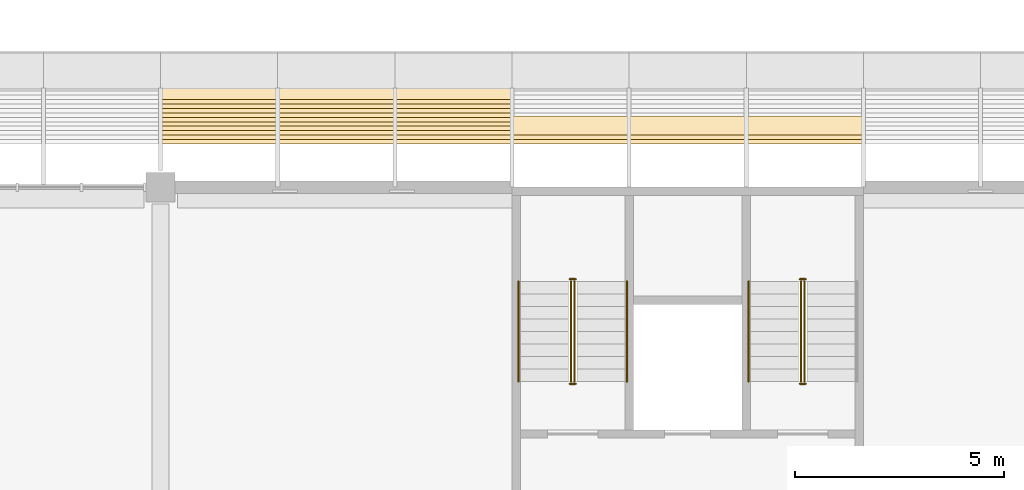
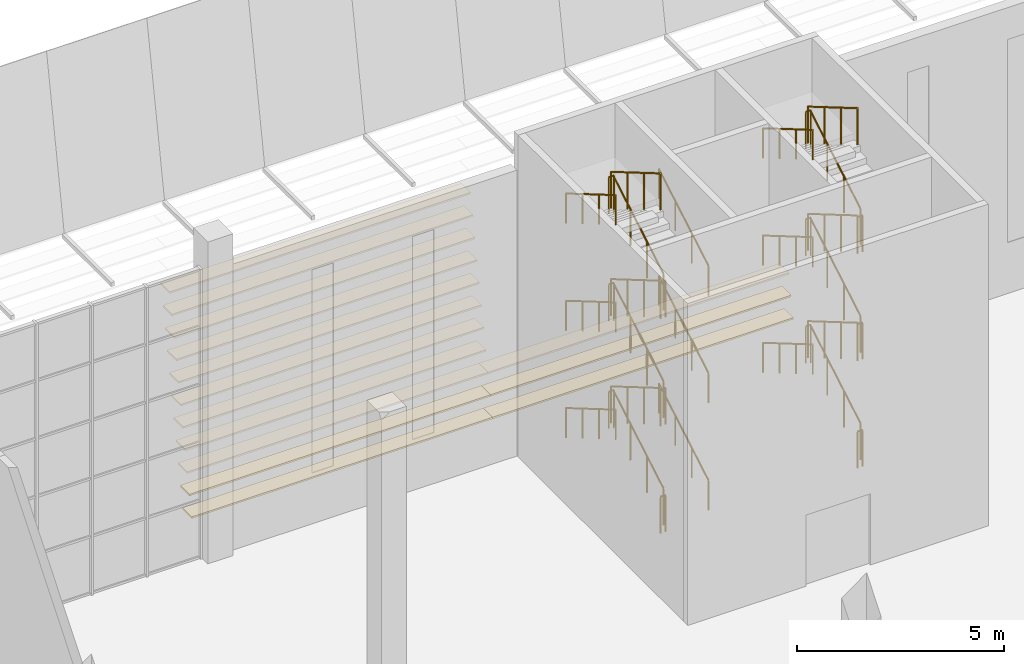
# One storey, part 106 of 114: 33 railings, 14 coverings.
"""IFC4 building model written with IfcOpenShell, lengths in metres."""

from ifc_helpers import new_model, si_unit, direction, frame, origin, origin_2d, place, context, subcontext, project, spatial, rectangle, circle, extrude, material, material_profile, profile_set, type_object, element, save


model = new_model("IFC4")

# Units and contexts
model_context = context("Model", 3, precision=1e-05, world=origin(), true_north=direction((0.0, 1.0)))
body_context = subcontext(model_context, "Body", "Model", "MODEL_VIEW")
ifc_project = project(units=[si_unit("LENGTHUNIT", "METRE"), si_unit("AREAUNIT", "SQUARE_METRE"), si_unit("VOLUMEUNIT", "CUBIC_METRE"), si_unit("PLANEANGLEUNIT", "RADIAN"), si_unit("MASSUNIT", "GRAM", prefix="KILO")], contexts=[model_context])

# Site, building, storey
site_placement = place(None, origin())
site = spatial("IfcSite", under=ifc_project, at=site_placement, CompositionType="ELEMENT")
building_placement = place(site_placement, origin())
building = spatial("IfcBuilding", under=site, at=building_placement, Name="Almond Square Museum", CompositionType="ELEMENT")
storey_placement = place(building_placement, frame((0.0, 0.0, 10.5)))
storey = spatial("IfcBuildingStorey", under=building, at=storey_placement, Name="L02", CompositionType="ELEMENT", Elevation=10.5)

# Coverings
ifc_material_1 = material(Name="Cedar timber louvre board", Category="wood")
ifc_material_profile = material_profile(ifc_material_1, rectangle(XDim=0.449951171875, YDim=0.050048828125, at=origin_2d()))
ifc_profile_set = profile_set([ifc_material_profile], Name="Cedar timber louvre board")
covering_type = type_object("IfcCoveringType", Name="Louvre board 450 x 50", PredefinedType="CLADDING", material=ifc_profile_set)
covering_1_placement = place(storey_placement, frame((115.199951171875, 110.45849609375, 0.39990234375), z_axis=(1.0, 0.0, 0.0), x_axis=(0.0, 1.0, 0.0)))
element("IfcCovering", 1, at=covering_1_placement, inside=storey, type_object=covering_type, Name="Louvre board N07.02", PredefinedType="CLADDING", context=body_context, shape_type="SweptSolid", body=[
    extrude(rectangle(XDim=0.449951171875, YDim=0.050048828125, at=origin_2d()), origin(), (0.0, 0.0, 1.0), 8.400146484375),
])
covering_2_placement = place(storey_placement, frame((123.60009765625, 110.45849609375, 0.39990234375), z_axis=(1.0, 0.0, 0.0), x_axis=(0.0, 1.0, 0.0)))
element("IfcCovering", 2, at=covering_2_placement, inside=storey, type_object=covering_type, Name="Louvre board N07.03", PredefinedType="CLADDING", context=body_context, shape_type="SweptSolid", body=[
    extrude(rectangle(XDim=0.449951171875, YDim=0.050048828125, at=origin_2d()), origin(), (0.0, 0.0, 1.0), 8.39990234375),
])
covering_3_placement = place(storey_placement, frame((115.199951171875, 110.564453125, 1.0), z_axis=(1.0, 0.0, 0.0), x_axis=(0.0, 1.0, 0.0)))
element("IfcCovering", 3, at=covering_3_placement, inside=storey, type_object=covering_type, Name="Louvre board N08.02", PredefinedType="CLADDING", context=body_context, shape_type="SweptSolid", body=[
    extrude(rectangle(XDim=0.449951171875, YDim=0.050048828125, at=origin_2d()), origin(), (0.0, 0.0, 1.0), 8.400146484375),
])
covering_4_placement = place(storey_placement, frame((123.60009765625, 110.564453125, 1.0), z_axis=(1.0, 0.0, 0.0), x_axis=(0.0, 1.0, 0.0)))
element("IfcCovering", 4, at=covering_4_placement, inside=storey, type_object=covering_type, Name="Louvre board N08.03", PredefinedType="CLADDING", context=body_context, shape_type="SweptSolid", body=[
    extrude(rectangle(XDim=0.449951171875, YDim=0.050048828125, at=origin_2d()), origin(), (0.0, 0.0, 1.0), 8.39990234375),
])
covering_5_placement = place(storey_placement, frame((115.199951171875, 110.670166015625, 1.60009765625), z_axis=(1.0, 0.0, 0.0), x_axis=(0.0, 1.0, 0.0)))
element("IfcCovering", 5, at=covering_5_placement, inside=storey, type_object=covering_type, Name="Louvre board N09.02", PredefinedType="CLADDING", context=body_context, shape_type="SweptSolid", body=[
    extrude(rectangle(XDim=0.449951171875, YDim=0.050048828125, at=origin_2d()), origin(), (0.0, 0.0, 1.0), 8.400146484375),
])
covering_6_placement = place(storey_placement, frame((123.60009765625, 110.670166015625, 1.60009765625), z_axis=(1.0, 0.0, 0.0), x_axis=(0.0, 1.0, 0.0)))
element("IfcCovering", 6, at=covering_6_placement, inside=storey, type_object=covering_type, Name="Louvre board N09.03", PredefinedType="CLADDING", context=body_context, shape_type="SweptSolid", body=[
    extrude(rectangle(XDim=0.449951171875, YDim=0.050048828125, at=origin_2d()), origin(), (0.0, 0.0, 1.0), 8.39990234375),
])
for number, where, z_axis, x_axis, name in (
    (7, (115.199951171875, 110.776123046875, 2.199951171875), (1.0, 0.0, 0.0), (0.0, 1.0, 0.0), "Louvre board N10.02"),
    (8, (115.199951171875, 110.8818359375, 2.800048828125), (1.0, 0.0, 0.0), (0.0, 1.0, 0.0), "Louvre board N11.02"),
    (9, (115.199951171875, 110.987548828125, 3.39990234375), (1.0, 0.0, 0.0), (0.0, 1.0, 0.0), "Louvre board N12.02"),
    (10, (115.199951171875, 111.093505859375, 4.0), (1.0, 0.0, 0.0), (0.0, 1.0, 0.0), "Louvre board N13.02"),
    (11, (115.199951171875, 111.19921875, 4.60009765625), (1.0, 0.0, 0.0), (0.0, 1.0, 0.0), "Louvre board N14.02"),
    (12, (115.199951171875, 111.304931640625, 5.199951171875), (1.0, 0.0, 0.0), (0.0, 1.0, 0.0), "Louvre board N15.02"),
    (13, (115.199951171875, 111.410888671875, 5.800048828125), (1.0, 0.0, 0.0), (0.0, 1.0, 0.0), "Louvre board N16.02"),
    (14, (115.199951171875, 111.5166015625, 6.39990234375), (1.0, 0.0, 0.0), (0.0, 1.0, 0.0), "Louvre board N17.02"),
):
    element("IfcCovering", number, at=place(storey_placement, frame(where, z_axis=z_axis, x_axis=x_axis)), inside=storey, type_object=covering_type, Name=name, PredefinedType="CLADDING", context=body_context, shape_type="SweptSolid", body=[
        extrude(rectangle(XDim=0.449951171875, YDim=0.050048828125, at=origin_2d()), origin(), (0.0, 0.0, 1.0), 8.400146484375),
    ])

# Railings
ifc_material_2 = material(Name="Stainless steel and laminated glass", Category="steel")
railing_type_1 = type_object("IfcRailingType", Name="Stair guard 1100 steel and glass", PredefinedType="GUARDRAIL", material=ifc_material_2)
railing_1_placement = place(storey_placement, frame((125.090087890625, 104.550048828125, 0.176025390625)))
element("IfcRailing", 15, at=railing_1_placement, inside=storey, type_object=railing_type_1, Name="L02 ST-07 stair guard 1", PredefinedType="GUARDRAIL", context=body_context, shape_type="SweptSolid", body=[
    extrude(circle(Radius=0.02392578125, at=origin_2d()), frame((0.0, 0.0, 1.076171875), z_axis=(0.0, 0.862637233918, 0.505823094232), x_axis=(-1.0, 0.0, 0.0)), (0.0, 0.0, 1.0), 2.781982421875),
    extrude(circle(Radius=0.02099609375, at=origin_2d()), origin(), (0.0, 0.0, 1.0), 1.052001953125),
    extrude(circle(Radius=0.02099609375, at=origin_2d()), frame((0.0, 0.800048828125, 0.468994140625)), (0.0, 0.0, 1.0), 1.052001953125),
    extrude(circle(Radius=0.02099609375, at=origin_2d()), frame((0.0, 1.599853515625, 0.938232421875)), (0.0, 0.0, 1.0), 1.052001953125),
    extrude(circle(Radius=0.02099609375, at=origin_2d()), frame((0.0, 2.39990234375, 1.4072265625)), (0.0, 0.0, 1.0), 1.052001953125),
])
railing_2_placement = place(storey_placement, frame((125.1201171875, 107.0, 1.583251953125)))
element("IfcRailing", 16, at=railing_2_placement, inside=storey, type_object=railing_type_1, Name="L02 ST-07 stair guard 2", PredefinedType="GUARDRAIL", context=body_context, shape_type="SweptSolid", body=[
    extrude(circle(Radius=0.02392578125, at=origin_2d()), frame((0.0, 0.0, 1.076171875), z_axis=(-1.0, 0.0, 0.0), x_axis=(0.0, -1.0, 0.0)), (0.0, 0.0, 1.0), 0.14013671875),
    extrude(circle(Radius=0.02099609375, at=origin_2d()), origin(), (0.0, 0.0, 1.0), 1.052001953125),
    extrude(circle(Radius=0.02099609375, at=origin_2d()), frame((-0.14013671875, 0.0, 0.0)), (0.0, 0.0, 1.0), 1.052001953125),
])
railing_3_placement = place(storey_placement, frame((125.010009765625, 106.949951171875, 1.75927734375)))
element("IfcRailing", 17, at=railing_3_placement, inside=storey, type_object=railing_type_1, Name="L02 ST-07 stair guard 3", PredefinedType="GUARDRAIL", context=body_context, shape_type="SweptSolid", body=[
    extrude(circle(Radius=0.02392578125, at=origin_2d()), frame((0.0, 0.0, 1.076171875), z_axis=(0.0, -0.86259894172, 0.505888392576), x_axis=(1.0, 0.0, 0.0)), (0.0, 0.0, 1.0), 2.7822265625),
    extrude(circle(Radius=0.02099609375, at=origin_2d()), origin(), (0.0, 0.0, 1.0), 1.052001953125),
    extrude(circle(Radius=0.02099609375, at=origin_2d()), frame((0.0, -0.800048828125, 0.46923828125)), (0.0, 0.0, 1.0), 1.052001953125),
    extrude(circle(Radius=0.02099609375, at=origin_2d()), frame((0.0, -1.599853515625, 0.938232421875)), (0.0, 0.0, 1.0), 1.052001953125),
    extrude(circle(Radius=0.02099609375, at=origin_2d()), frame((0.0, -2.39990234375, 1.407470703125)), (0.0, 0.0, 1.0), 1.052001953125),
])
railing_4_placement = place(storey_placement, frame((125.1201171875, 104.5, 3.166748046875)))
element("IfcRailing", 18, at=railing_4_placement, inside=storey, type_object=railing_type_1, Name="L02 ST-07 stair guard 4", PredefinedType="GUARDRAIL", context=body_context, shape_type="SweptSolid", body=[
    extrude(circle(Radius=0.02392578125, at=origin_2d()), frame((0.0, 0.0, 1.076171875), z_axis=(-1.0, 0.0, 0.0), x_axis=(0.0, -1.0, 0.0)), (0.0, 0.0, 1.0), 0.14013671875),
    extrude(circle(Radius=0.02099609375, at=origin_2d()), origin(), (0.0, 0.0, 1.0), 1.052001953125),
    extrude(circle(Radius=0.02099609375, at=origin_2d()), frame((-0.14013671875, 0.0, 0.0)), (0.0, 0.0, 1.0), 1.052001953125),
])
railing_5_placement = place(storey_placement, frame((125.090087890625, 104.550048828125, 3.342529296875)))
element("IfcRailing", 19, at=railing_5_placement, inside=storey, type_object=railing_type_1, Name="L02 ST-07 stair guard 5", PredefinedType="GUARDRAIL", context=body_context, shape_type="SweptSolid", body=[
    extrude(circle(Radius=0.02392578125, at=origin_2d()), frame((0.0, 0.0, 1.076171875), z_axis=(0.0, 0.86259894172, 0.505888392576), x_axis=(-1.0, 0.0, 0.0)), (0.0, 0.0, 1.0), 2.7822265625),
    extrude(circle(Radius=0.02099609375, at=origin_2d()), origin(), (0.0, 0.0, 1.0), 1.052001953125),
    extrude(circle(Radius=0.02099609375, at=origin_2d()), frame((0.0, 0.800048828125, 0.46923828125)), (0.0, 0.0, 1.0), 1.052001953125),
    extrude(circle(Radius=0.02099609375, at=origin_2d()), frame((0.0, 1.599853515625, 0.938232421875)), (0.0, 0.0, 1.0), 1.052001953125),
    extrude(circle(Radius=0.02099609375, at=origin_2d()), frame((0.0, 2.39990234375, 1.407470703125)), (0.0, 0.0, 1.0), 1.052001953125),
])
railing_6_placement = place(storey_placement, frame((125.1201171875, 107.0, 4.75)))
element("IfcRailing", 20, at=railing_6_placement, inside=storey, type_object=railing_type_1, Name="L02 ST-07 stair guard 6", PredefinedType="GUARDRAIL", context=body_context, shape_type="SweptSolid", body=[
    extrude(circle(Radius=0.02392578125, at=origin_2d()), frame((0.0, 0.0, 1.076171875), z_axis=(-1.0, 0.0, 0.0), x_axis=(0.0, -1.0, 0.0)), (0.0, 0.0, 1.0), 0.14013671875),
    extrude(circle(Radius=0.02099609375, at=origin_2d()), origin(), (0.0, 0.0, 1.0), 1.052001953125),
    extrude(circle(Radius=0.02099609375, at=origin_2d()), frame((-0.14013671875, 0.0, 0.0)), (0.0, 0.0, 1.0), 1.052001953125),
])
railing_7_placement = place(storey_placement, frame((125.010009765625, 106.949951171875, 4.926025390625)))
element("IfcRailing", 21, at=railing_7_placement, inside=storey, type_object=railing_type_1, Name="L02 ST-07 stair guard 7", PredefinedType="GUARDRAIL", context=body_context, shape_type="SweptSolid", body=[
    extrude(circle(Radius=0.02392578125, at=origin_2d()), frame((0.0, 0.0, 1.076171875), z_axis=(0.0, -0.862637233918, 0.505823094232), x_axis=(1.0, 0.0, 0.0)), (0.0, 0.0, 1.0), 2.781982421875),
    extrude(circle(Radius=0.02099609375, at=origin_2d()), origin(), (0.0, 0.0, 1.0), 1.052001953125),
    extrude(circle(Radius=0.02099609375, at=origin_2d()), frame((0.0, -0.800048828125, 0.468994140625)), (0.0, 0.0, 1.0), 1.052001953125),
    extrude(circle(Radius=0.02099609375, at=origin_2d()), frame((0.0, -1.599853515625, 0.938232421875)), (0.0, 0.0, 1.0), 1.052001953125),
    extrude(circle(Radius=0.02099609375, at=origin_2d()), frame((0.0, -2.39990234375, 1.4072265625)), (0.0, 0.0, 1.0), 1.052001953125),
])
railing_8_placement = place(storey_placement, frame((125.1201171875, 104.5, 6.333251953125)))
element("IfcRailing", 22, at=railing_8_placement, inside=storey, type_object=railing_type_1, Name="L02 ST-07 stair guard 8", PredefinedType="GUARDRAIL", context=body_context, shape_type="SweptSolid", body=[
    extrude(circle(Radius=0.02392578125, at=origin_2d()), frame((0.0, 0.0, 1.076171875), z_axis=(-1.0, 0.0, 0.0), x_axis=(0.0, -1.0, 0.0)), (0.0, 0.0, 1.0), 0.14013671875),
    extrude(circle(Radius=0.02099609375, at=origin_2d()), origin(), (0.0, 0.0, 1.0), 1.052001953125),
    extrude(circle(Radius=0.02099609375, at=origin_2d()), frame((-0.14013671875, 0.0, 0.0)), (0.0, 0.0, 1.0), 1.052001953125),
])
railing_9_placement = place(storey_placement, frame((125.090087890625, 104.550048828125, 6.50927734375)))
element("IfcRailing", 23, at=railing_9_placement, inside=storey, type_object=railing_type_1, Name="L02 ST-07 stair guard 9", PredefinedType="GUARDRAIL", context=body_context, shape_type="SweptSolid", body=[
    extrude(circle(Radius=0.02392578125, at=origin_2d()), frame((0.0, 0.0, 1.076171875), z_axis=(0.0, 0.86259894172, 0.505888392576), x_axis=(-1.0, 0.0, 0.0)), (0.0, 0.0, 1.0), 2.7822265625),
    extrude(circle(Radius=0.02099609375, at=origin_2d()), origin(), (0.0, 0.0, 1.0), 1.052001953125),
    extrude(circle(Radius=0.02099609375, at=origin_2d()), frame((0.0, 0.800048828125, 0.46923828125)), (0.0, 0.0, 1.0), 1.052001953125),
    extrude(circle(Radius=0.02099609375, at=origin_2d()), frame((0.0, 1.599853515625, 0.938232421875)), (0.0, 0.0, 1.0), 1.052001953125),
    extrude(circle(Radius=0.02099609375, at=origin_2d()), frame((0.0, 2.39990234375, 1.407470703125)), (0.0, 0.0, 1.0), 1.052001953125),
])
railing_10_placement = place(storey_placement, frame((125.1201171875, 107.0, 7.916748046875)))
element("IfcRailing", 24, at=railing_10_placement, inside=storey, type_object=railing_type_1, Name="L02 ST-07 stair guard 10", PredefinedType="GUARDRAIL", context=body_context, shape_type="SweptSolid", body=[
    extrude(circle(Radius=0.02392578125, at=origin_2d()), frame((0.0, 0.0, 1.076171875), z_axis=(-1.0, 0.0, 0.0), x_axis=(0.0, -1.0, 0.0)), (0.0, 0.0, 1.0), 0.14013671875),
    extrude(circle(Radius=0.02099609375, at=origin_2d()), origin(), (0.0, 0.0, 1.0), 1.052001953125),
    extrude(circle(Radius=0.02099609375, at=origin_2d()), frame((-0.14013671875, 0.0, 0.0)), (0.0, 0.0, 1.0), 1.052001953125),
])
railing_11_placement = place(storey_placement, frame((125.010009765625, 106.949951171875, 8.092529296875)))
element("IfcRailing", 25, at=railing_11_placement, inside=storey, type_object=railing_type_1, Name="L02 ST-07 stair guard 11", PredefinedType="GUARDRAIL", context=body_context, shape_type="SweptSolid", body=[
    extrude(circle(Radius=0.02392578125, at=origin_2d()), frame((0.0, 0.0, 1.076171875), z_axis=(0.0, -0.86259894172, 0.505888392576), x_axis=(1.0, 0.0, 0.0)), (0.0, 0.0, 1.0), 2.7822265625),
    extrude(circle(Radius=0.02099609375, at=origin_2d()), origin(), (0.0, 0.0, 1.0), 1.052001953125),
    extrude(circle(Radius=0.02099609375, at=origin_2d()), frame((0.0, -0.800048828125, 0.46923828125)), (0.0, 0.0, 1.0), 1.052001953125),
    extrude(circle(Radius=0.02099609375, at=origin_2d()), frame((0.0, -1.599853515625, 0.938232421875)), (0.0, 0.0, 1.0), 1.052001953125),
    extrude(circle(Radius=0.02099609375, at=origin_2d()), frame((0.0, -2.39990234375, 1.407470703125)), (0.0, 0.0, 1.0), 1.052001953125),
])
railing_12_placement = place(storey_placement, frame((125.1201171875, 104.5, 0.0)))
element("IfcRailing", 26, at=railing_12_placement, inside=storey, type_object=railing_type_1, Name="L02 ST-07 stair guard 12", PredefinedType="GUARDRAIL", context=body_context, shape_type="SweptSolid", body=[
    extrude(circle(Radius=0.02392578125, at=origin_2d()), frame((0.0, 0.0, 1.076171875), z_axis=(-1.0, 0.0, 0.0), x_axis=(0.0, -1.0, 0.0)), (0.0, 0.0, 1.0), 0.14013671875),
    extrude(circle(Radius=0.02099609375, at=origin_2d()), origin(), (0.0, 0.0, 1.0), 1.052001953125),
    extrude(circle(Radius=0.02099609375, at=origin_2d()), frame((-0.14013671875, 0.0, 0.0)), (0.0, 0.0, 1.0), 1.052001953125),
])
railing_13_placement = place(storey_placement, frame((130.590087890625, 104.550048828125, 0.176025390625)))
element("IfcRailing", 27, at=railing_13_placement, inside=storey, type_object=railing_type_1, Name="L02 ST-08 stair guard 1", PredefinedType="GUARDRAIL", context=body_context, shape_type="SweptSolid", body=[
    extrude(circle(Radius=0.02392578125, at=origin_2d()), frame((0.0, 0.0, 1.076171875), z_axis=(0.0, 0.862637233918, 0.505823094232), x_axis=(-1.0, 0.0, 0.0)), (0.0, 0.0, 1.0), 2.781982421875),
    extrude(circle(Radius=0.02099609375, at=origin_2d()), origin(), (0.0, 0.0, 1.0), 1.052001953125),
    extrude(circle(Radius=0.02099609375, at=origin_2d()), frame((0.0, 0.800048828125, 0.468994140625)), (0.0, 0.0, 1.0), 1.052001953125),
    extrude(circle(Radius=0.02099609375, at=origin_2d()), frame((0.0, 1.599853515625, 0.938232421875)), (0.0, 0.0, 1.0), 1.052001953125),
    extrude(circle(Radius=0.02099609375, at=origin_2d()), frame((0.0, 2.39990234375, 1.4072265625)), (0.0, 0.0, 1.0), 1.052001953125),
])
railing_14_placement = place(storey_placement, frame((130.6201171875, 107.0, 1.583251953125)))
element("IfcRailing", 28, at=railing_14_placement, inside=storey, type_object=railing_type_1, Name="L02 ST-08 stair guard 2", PredefinedType="GUARDRAIL", context=body_context, shape_type="SweptSolid", body=[
    extrude(circle(Radius=0.02392578125, at=origin_2d()), frame((0.0, 0.0, 1.076171875), z_axis=(-1.0, 0.0, 0.0), x_axis=(0.0, -1.0, 0.0)), (0.0, 0.0, 1.0), 0.14013671875),
    extrude(circle(Radius=0.02099609375, at=origin_2d()), origin(), (0.0, 0.0, 1.0), 1.052001953125),
    extrude(circle(Radius=0.02099609375, at=origin_2d()), frame((-0.14013671875, 0.0, 0.0)), (0.0, 0.0, 1.0), 1.052001953125),
])
railing_15_placement = place(storey_placement, frame((130.510009765625, 106.949951171875, 1.75927734375)))
element("IfcRailing", 29, at=railing_15_placement, inside=storey, type_object=railing_type_1, Name="L02 ST-08 stair guard 3", PredefinedType="GUARDRAIL", context=body_context, shape_type="SweptSolid", body=[
    extrude(circle(Radius=0.02392578125, at=origin_2d()), frame((0.0, 0.0, 1.076171875), z_axis=(0.0, -0.86259894172, 0.505888392576), x_axis=(1.0, 0.0, 0.0)), (0.0, 0.0, 1.0), 2.7822265625),
    extrude(circle(Radius=0.02099609375, at=origin_2d()), origin(), (0.0, 0.0, 1.0), 1.052001953125),
    extrude(circle(Radius=0.02099609375, at=origin_2d()), frame((0.0, -0.800048828125, 0.46923828125)), (0.0, 0.0, 1.0), 1.052001953125),
    extrude(circle(Radius=0.02099609375, at=origin_2d()), frame((0.0, -1.599853515625, 0.938232421875)), (0.0, 0.0, 1.0), 1.052001953125),
    extrude(circle(Radius=0.02099609375, at=origin_2d()), frame((0.0, -2.39990234375, 1.407470703125)), (0.0, 0.0, 1.0), 1.052001953125),
])
railing_16_placement = place(storey_placement, frame((130.6201171875, 104.5, 3.166748046875)))
element("IfcRailing", 30, at=railing_16_placement, inside=storey, type_object=railing_type_1, Name="L02 ST-08 stair guard 4", PredefinedType="GUARDRAIL", context=body_context, shape_type="SweptSolid", body=[
    extrude(circle(Radius=0.02392578125, at=origin_2d()), frame((0.0, 0.0, 1.076171875), z_axis=(-1.0, 0.0, 0.0), x_axis=(0.0, -1.0, 0.0)), (0.0, 0.0, 1.0), 0.14013671875),
    extrude(circle(Radius=0.02099609375, at=origin_2d()), origin(), (0.0, 0.0, 1.0), 1.052001953125),
    extrude(circle(Radius=0.02099609375, at=origin_2d()), frame((-0.14013671875, 0.0, 0.0)), (0.0, 0.0, 1.0), 1.052001953125),
])
railing_17_placement = place(storey_placement, frame((130.590087890625, 104.550048828125, 3.342529296875)))
element("IfcRailing", 31, at=railing_17_placement, inside=storey, type_object=railing_type_1, Name="L02 ST-08 stair guard 5", PredefinedType="GUARDRAIL", context=body_context, shape_type="SweptSolid", body=[
    extrude(circle(Radius=0.02392578125, at=origin_2d()), frame((0.0, 0.0, 1.076171875), z_axis=(0.0, 0.86259894172, 0.505888392576), x_axis=(-1.0, 0.0, 0.0)), (0.0, 0.0, 1.0), 2.7822265625),
    extrude(circle(Radius=0.02099609375, at=origin_2d()), origin(), (0.0, 0.0, 1.0), 1.052001953125),
    extrude(circle(Radius=0.02099609375, at=origin_2d()), frame((0.0, 0.800048828125, 0.46923828125)), (0.0, 0.0, 1.0), 1.052001953125),
    extrude(circle(Radius=0.02099609375, at=origin_2d()), frame((0.0, 1.599853515625, 0.938232421875)), (0.0, 0.0, 1.0), 1.052001953125),
    extrude(circle(Radius=0.02099609375, at=origin_2d()), frame((0.0, 2.39990234375, 1.407470703125)), (0.0, 0.0, 1.0), 1.052001953125),
])
railing_18_placement = place(storey_placement, frame((130.6201171875, 107.0, 4.75)))
element("IfcRailing", 32, at=railing_18_placement, inside=storey, type_object=railing_type_1, Name="L02 ST-08 stair guard 6", PredefinedType="GUARDRAIL", context=body_context, shape_type="SweptSolid", body=[
    extrude(circle(Radius=0.02392578125, at=origin_2d()), frame((0.0, 0.0, 1.076171875), z_axis=(-1.0, 0.0, 0.0), x_axis=(0.0, -1.0, 0.0)), (0.0, 0.0, 1.0), 0.14013671875),
    extrude(circle(Radius=0.02099609375, at=origin_2d()), origin(), (0.0, 0.0, 1.0), 1.052001953125),
    extrude(circle(Radius=0.02099609375, at=origin_2d()), frame((-0.14013671875, 0.0, 0.0)), (0.0, 0.0, 1.0), 1.052001953125),
])
railing_19_placement = place(storey_placement, frame((130.510009765625, 106.949951171875, 4.926025390625)))
element("IfcRailing", 33, at=railing_19_placement, inside=storey, type_object=railing_type_1, Name="L02 ST-08 stair guard 7", PredefinedType="GUARDRAIL", context=body_context, shape_type="SweptSolid", body=[
    extrude(circle(Radius=0.02392578125, at=origin_2d()), frame((0.0, 0.0, 1.076171875), z_axis=(0.0, -0.862637233918, 0.505823094232), x_axis=(1.0, 0.0, 0.0)), (0.0, 0.0, 1.0), 2.781982421875),
    extrude(circle(Radius=0.02099609375, at=origin_2d()), origin(), (0.0, 0.0, 1.0), 1.052001953125),
    extrude(circle(Radius=0.02099609375, at=origin_2d()), frame((0.0, -0.800048828125, 0.468994140625)), (0.0, 0.0, 1.0), 1.052001953125),
    extrude(circle(Radius=0.02099609375, at=origin_2d()), frame((0.0, -1.599853515625, 0.938232421875)), (0.0, 0.0, 1.0), 1.052001953125),
    extrude(circle(Radius=0.02099609375, at=origin_2d()), frame((0.0, -2.39990234375, 1.4072265625)), (0.0, 0.0, 1.0), 1.052001953125),
])
railing_20_placement = place(storey_placement, frame((130.6201171875, 104.5, 6.333251953125)))
element("IfcRailing", 34, at=railing_20_placement, inside=storey, type_object=railing_type_1, Name="L02 ST-08 stair guard 8", PredefinedType="GUARDRAIL", context=body_context, shape_type="SweptSolid", body=[
    extrude(circle(Radius=0.02392578125, at=origin_2d()), frame((0.0, 0.0, 1.076171875), z_axis=(-1.0, 0.0, 0.0), x_axis=(0.0, -1.0, 0.0)), (0.0, 0.0, 1.0), 0.14013671875),
    extrude(circle(Radius=0.02099609375, at=origin_2d()), origin(), (0.0, 0.0, 1.0), 1.052001953125),
    extrude(circle(Radius=0.02099609375, at=origin_2d()), frame((-0.14013671875, 0.0, 0.0)), (0.0, 0.0, 1.0), 1.052001953125),
])
railing_21_placement = place(storey_placement, frame((130.590087890625, 104.550048828125, 6.50927734375)))
element("IfcRailing", 35, at=railing_21_placement, inside=storey, type_object=railing_type_1, Name="L02 ST-08 stair guard 9", PredefinedType="GUARDRAIL", context=body_context, shape_type="SweptSolid", body=[
    extrude(circle(Radius=0.02392578125, at=origin_2d()), frame((0.0, 0.0, 1.076171875), z_axis=(0.0, 0.86259894172, 0.505888392576), x_axis=(-1.0, 0.0, 0.0)), (0.0, 0.0, 1.0), 2.7822265625),
    extrude(circle(Radius=0.02099609375, at=origin_2d()), origin(), (0.0, 0.0, 1.0), 1.052001953125),
    extrude(circle(Radius=0.02099609375, at=origin_2d()), frame((0.0, 0.800048828125, 0.46923828125)), (0.0, 0.0, 1.0), 1.052001953125),
    extrude(circle(Radius=0.02099609375, at=origin_2d()), frame((0.0, 1.599853515625, 0.938232421875)), (0.0, 0.0, 1.0), 1.052001953125),
    extrude(circle(Radius=0.02099609375, at=origin_2d()), frame((0.0, 2.39990234375, 1.407470703125)), (0.0, 0.0, 1.0), 1.052001953125),
])
railing_22_placement = place(storey_placement, frame((130.6201171875, 107.0, 7.916748046875)))
element("IfcRailing", 36, at=railing_22_placement, inside=storey, type_object=railing_type_1, Name="L02 ST-08 stair guard 10", PredefinedType="GUARDRAIL", context=body_context, shape_type="SweptSolid", body=[
    extrude(circle(Radius=0.02392578125, at=origin_2d()), frame((0.0, 0.0, 1.076171875), z_axis=(-1.0, 0.0, 0.0), x_axis=(0.0, -1.0, 0.0)), (0.0, 0.0, 1.0), 0.14013671875),
    extrude(circle(Radius=0.02099609375, at=origin_2d()), origin(), (0.0, 0.0, 1.0), 1.052001953125),
    extrude(circle(Radius=0.02099609375, at=origin_2d()), frame((-0.14013671875, 0.0, 0.0)), (0.0, 0.0, 1.0), 1.052001953125),
])
railing_23_placement = place(storey_placement, frame((130.510009765625, 106.949951171875, 8.092529296875)))
element("IfcRailing", 37, at=railing_23_placement, inside=storey, type_object=railing_type_1, Name="L02 ST-08 stair guard 11", PredefinedType="GUARDRAIL", context=body_context, shape_type="SweptSolid", body=[
    extrude(circle(Radius=0.02392578125, at=origin_2d()), frame((0.0, 0.0, 1.076171875), z_axis=(0.0, -0.86259894172, 0.505888392576), x_axis=(1.0, 0.0, 0.0)), (0.0, 0.0, 1.0), 2.7822265625),
    extrude(circle(Radius=0.02099609375, at=origin_2d()), origin(), (0.0, 0.0, 1.0), 1.052001953125),
    extrude(circle(Radius=0.02099609375, at=origin_2d()), frame((0.0, -0.800048828125, 0.46923828125)), (0.0, 0.0, 1.0), 1.052001953125),
    extrude(circle(Radius=0.02099609375, at=origin_2d()), frame((0.0, -1.599853515625, 0.938232421875)), (0.0, 0.0, 1.0), 1.052001953125),
    extrude(circle(Radius=0.02099609375, at=origin_2d()), frame((0.0, -2.39990234375, 1.407470703125)), (0.0, 0.0, 1.0), 1.052001953125),
])
railing_24_placement = place(storey_placement, frame((130.6201171875, 104.5, 0.0)))
element("IfcRailing", 38, at=railing_24_placement, inside=storey, type_object=railing_type_1, Name="L02 ST-08 stair guard 12", PredefinedType="GUARDRAIL", context=body_context, shape_type="SweptSolid", body=[
    extrude(circle(Radius=0.02392578125, at=origin_2d()), frame((0.0, 0.0, 1.076171875), z_axis=(-1.0, 0.0, 0.0), x_axis=(0.0, -1.0, 0.0)), (0.0, 0.0, 1.0), 0.14013671875),
    extrude(circle(Radius=0.02099609375, at=origin_2d()), origin(), (0.0, 0.0, 1.0), 1.052001953125),
    extrude(circle(Radius=0.02099609375, at=origin_2d()), frame((-0.14013671875, 0.0, 0.0)), (0.0, 0.0, 1.0), 1.052001953125),
])
ifc_material_3 = material(Name="Stainless steel", Category="steel")
railing_type_2 = type_object("IfcRailingType", Name="Stair handrail 900 steel", PredefinedType="HANDRAIL", material=ifc_material_3)
railing_25_placement = place(storey_placement, frame((126.344970703125, 104.550048828125, 0.176025390625)))
element("IfcRailing", 39, at=railing_25_placement, inside=storey, type_object=railing_type_2, Name="L02 ST-07 stair handrail 1", PredefinedType="HANDRAIL", context=body_context, shape_type="SweptSolid", body=[
    extrude(circle(Radius=0.02392578125, at=origin_2d()), frame((0.0, 0.0, 0.8759765625), z_axis=(0.0, 0.862637233918, 0.505823094232), x_axis=(-1.0, 0.0, 0.0)), (0.0, 0.0, 1.0), 2.781982421875),
    extrude(circle(Radius=0.02099609375, at=origin_2d()), origin(), (0.0, 0.0, 1.0), 0.851806640625),
    extrude(circle(Radius=0.02099609375, at=origin_2d()), frame((0.0, 0.800048828125, 0.468994140625)), (0.0, 0.0, 1.0), 0.851806640625),
    extrude(circle(Radius=0.02099609375, at=origin_2d()), frame((0.0, 1.599853515625, 0.938232421875)), (0.0, 0.0, 1.0), 0.851806640625),
    extrude(circle(Radius=0.02099609375, at=origin_2d()), frame((0.0, 2.39990234375, 1.4072265625)), (0.0, 0.0, 1.0), 0.851806640625),
])
railing_26_placement = place(storey_placement, frame((123.7548828125, 106.949951171875, 1.75927734375)))
element("IfcRailing", 40, at=railing_26_placement, inside=storey, type_object=railing_type_2, Name="L02 ST-07 stair handrail 2", PredefinedType="HANDRAIL", context=body_context, shape_type="SweptSolid", body=[
    extrude(circle(Radius=0.02392578125, at=origin_2d()), frame((0.0, 0.0, 0.8759765625), z_axis=(0.0, -0.86259894172, 0.505888392576), x_axis=(1.0, 0.0, 0.0)), (0.0, 0.0, 1.0), 2.7822265625),
    extrude(circle(Radius=0.02099609375, at=origin_2d()), origin(), (0.0, 0.0, 1.0), 0.851806640625),
    extrude(circle(Radius=0.02099609375, at=origin_2d()), frame((0.0, -0.800048828125, 0.46923828125)), (0.0, 0.0, 1.0), 0.851806640625),
    extrude(circle(Radius=0.02099609375, at=origin_2d()), frame((0.0, -1.599853515625, 0.938232421875)), (0.0, 0.0, 1.0), 0.851806640625),
    extrude(circle(Radius=0.02099609375, at=origin_2d()), frame((0.0, -2.39990234375, 1.407470703125)), (0.0, 0.0, 1.0), 0.851806640625),
])
railing_27_placement = place(storey_placement, frame((126.344970703125, 104.550048828125, 3.342529296875)))
element("IfcRailing", 41, at=railing_27_placement, inside=storey, type_object=railing_type_2, Name="L02 ST-07 stair handrail 3", PredefinedType="HANDRAIL", context=body_context, shape_type="SweptSolid", body=[
    extrude(circle(Radius=0.02392578125, at=origin_2d()), frame((0.0, 0.0, 0.8759765625), z_axis=(0.0, 0.86259894172, 0.505888392576), x_axis=(-1.0, 0.0, 0.0)), (0.0, 0.0, 1.0), 2.7822265625),
    extrude(circle(Radius=0.02099609375, at=origin_2d()), origin(), (0.0, 0.0, 1.0), 0.851806640625),
    extrude(circle(Radius=0.02099609375, at=origin_2d()), frame((0.0, 0.800048828125, 0.46923828125)), (0.0, 0.0, 1.0), 0.851806640625),
    extrude(circle(Radius=0.02099609375, at=origin_2d()), frame((0.0, 1.599853515625, 0.938232421875)), (0.0, 0.0, 1.0), 0.851806640625),
    extrude(circle(Radius=0.02099609375, at=origin_2d()), frame((0.0, 2.39990234375, 1.407470703125)), (0.0, 0.0, 1.0), 0.851806640625),
])
railing_28_placement = place(storey_placement, frame((123.7548828125, 106.949951171875, 4.926025390625)))
element("IfcRailing", 42, at=railing_28_placement, inside=storey, type_object=railing_type_2, Name="L02 ST-07 stair handrail 4", PredefinedType="HANDRAIL", context=body_context, shape_type="SweptSolid", body=[
    extrude(circle(Radius=0.02392578125, at=origin_2d()), frame((0.0, 0.0, 0.8759765625), z_axis=(0.0, -0.862637233918, 0.505823094232), x_axis=(1.0, 0.0, 0.0)), (0.0, 0.0, 1.0), 2.781982421875),
    extrude(circle(Radius=0.02099609375, at=origin_2d()), origin(), (0.0, 0.0, 1.0), 0.851806640625),
    extrude(circle(Radius=0.02099609375, at=origin_2d()), frame((0.0, -0.800048828125, 0.468994140625)), (0.0, 0.0, 1.0), 0.851806640625),
    extrude(circle(Radius=0.02099609375, at=origin_2d()), frame((0.0, -1.599853515625, 0.938232421875)), (0.0, 0.0, 1.0), 0.851806640625),
    extrude(circle(Radius=0.02099609375, at=origin_2d()), frame((0.0, -2.39990234375, 1.4072265625)), (0.0, 0.0, 1.0), 0.851806640625),
])
railing_29_placement = place(storey_placement, frame((126.344970703125, 104.550048828125, 6.50927734375)))
element("IfcRailing", 43, at=railing_29_placement, inside=storey, type_object=railing_type_2, Name="L02 ST-07 stair handrail 5", PredefinedType="HANDRAIL", context=body_context, shape_type="SweptSolid", body=[
    extrude(circle(Radius=0.02392578125, at=origin_2d()), frame((0.0, 0.0, 0.8759765625), z_axis=(0.0, 0.86259894172, 0.505888392576), x_axis=(-1.0, 0.0, 0.0)), (0.0, 0.0, 1.0), 2.7822265625),
    extrude(circle(Radius=0.02099609375, at=origin_2d()), origin(), (0.0, 0.0, 1.0), 0.851806640625),
    extrude(circle(Radius=0.02099609375, at=origin_2d()), frame((0.0, 0.800048828125, 0.46923828125)), (0.0, 0.0, 1.0), 0.851806640625),
    extrude(circle(Radius=0.02099609375, at=origin_2d()), frame((0.0, 1.599853515625, 0.938232421875)), (0.0, 0.0, 1.0), 0.851806640625),
    extrude(circle(Radius=0.02099609375, at=origin_2d()), frame((0.0, 2.39990234375, 1.407470703125)), (0.0, 0.0, 1.0), 0.851806640625),
])
for number, where, name in (
    (44, (123.7548828125, 106.949951171875, 8.092529296875), "L02 ST-07 stair handrail 6"),
    (45, (129.2548828125, 106.949951171875, 1.75927734375), "L02 ST-08 stair handrail 2"),
):
    element("IfcRailing", number, at=place(storey_placement, frame(where)), inside=storey, type_object=railing_type_2, Name=name, PredefinedType="HANDRAIL", context=body_context, shape_type="SweptSolid", body=[
        extrude(circle(Radius=0.02392578125, at=origin_2d()), frame((0.0, 0.0, 0.8759765625), z_axis=(0.0, -0.86259894172, 0.505888392576), x_axis=(1.0, 0.0, 0.0)), (0.0, 0.0, 1.0), 2.7822265625),
        extrude(circle(Radius=0.02099609375, at=origin_2d()), origin(), (0.0, 0.0, 1.0), 0.851806640625),
        extrude(circle(Radius=0.02099609375, at=origin_2d()), frame((0.0, -0.800048828125, 0.46923828125)), (0.0, 0.0, 1.0), 0.851806640625),
        extrude(circle(Radius=0.02099609375, at=origin_2d()), frame((0.0, -1.599853515625, 0.938232421875)), (0.0, 0.0, 1.0), 0.851806640625),
        extrude(circle(Radius=0.02099609375, at=origin_2d()), frame((0.0, -2.39990234375, 1.407470703125)), (0.0, 0.0, 1.0), 0.851806640625),
    ])
railing_30_placement = place(storey_placement, frame((129.2548828125, 106.949951171875, 4.926025390625)))
element("IfcRailing", 46, at=railing_30_placement, inside=storey, type_object=railing_type_2, Name="L02 ST-08 stair handrail 4", PredefinedType="HANDRAIL", context=body_context, shape_type="SweptSolid", body=[
    extrude(circle(Radius=0.02392578125, at=origin_2d()), frame((0.0, 0.0, 0.8759765625), z_axis=(0.0, -0.862637233918, 0.505823094232), x_axis=(1.0, 0.0, 0.0)), (0.0, 0.0, 1.0), 2.781982421875),
    extrude(circle(Radius=0.02099609375, at=origin_2d()), origin(), (0.0, 0.0, 1.0), 0.851806640625),
    extrude(circle(Radius=0.02099609375, at=origin_2d()), frame((0.0, -0.800048828125, 0.468994140625)), (0.0, 0.0, 1.0), 0.851806640625),
    extrude(circle(Radius=0.02099609375, at=origin_2d()), frame((0.0, -1.599853515625, 0.938232421875)), (0.0, 0.0, 1.0), 0.851806640625),
    extrude(circle(Radius=0.02099609375, at=origin_2d()), frame((0.0, -2.39990234375, 1.4072265625)), (0.0, 0.0, 1.0), 0.851806640625),
])
railing_31_placement = place(storey_placement, frame((129.2548828125, 106.949951171875, 8.092529296875)))
element("IfcRailing", 47, at=railing_31_placement, inside=storey, type_object=railing_type_2, Name="L02 ST-08 stair handrail 6", PredefinedType="HANDRAIL", context=body_context, shape_type="SweptSolid", body=[
    extrude(circle(Radius=0.02392578125, at=origin_2d()), frame((0.0, 0.0, 0.8759765625), z_axis=(0.0, -0.86259894172, 0.505888392576), x_axis=(1.0, 0.0, 0.0)), (0.0, 0.0, 1.0), 2.7822265625),
    extrude(circle(Radius=0.02099609375, at=origin_2d()), origin(), (0.0, 0.0, 1.0), 0.851806640625),
    extrude(circle(Radius=0.02099609375, at=origin_2d()), frame((0.0, -0.800048828125, 0.46923828125)), (0.0, 0.0, 1.0), 0.851806640625),
    extrude(circle(Radius=0.02099609375, at=origin_2d()), frame((0.0, -1.599853515625, 0.938232421875)), (0.0, 0.0, 1.0), 0.851806640625),
    extrude(circle(Radius=0.02099609375, at=origin_2d()), frame((0.0, -2.39990234375, 1.407470703125)), (0.0, 0.0, 1.0), 0.851806640625),
])

save(model, "model.ifc")
